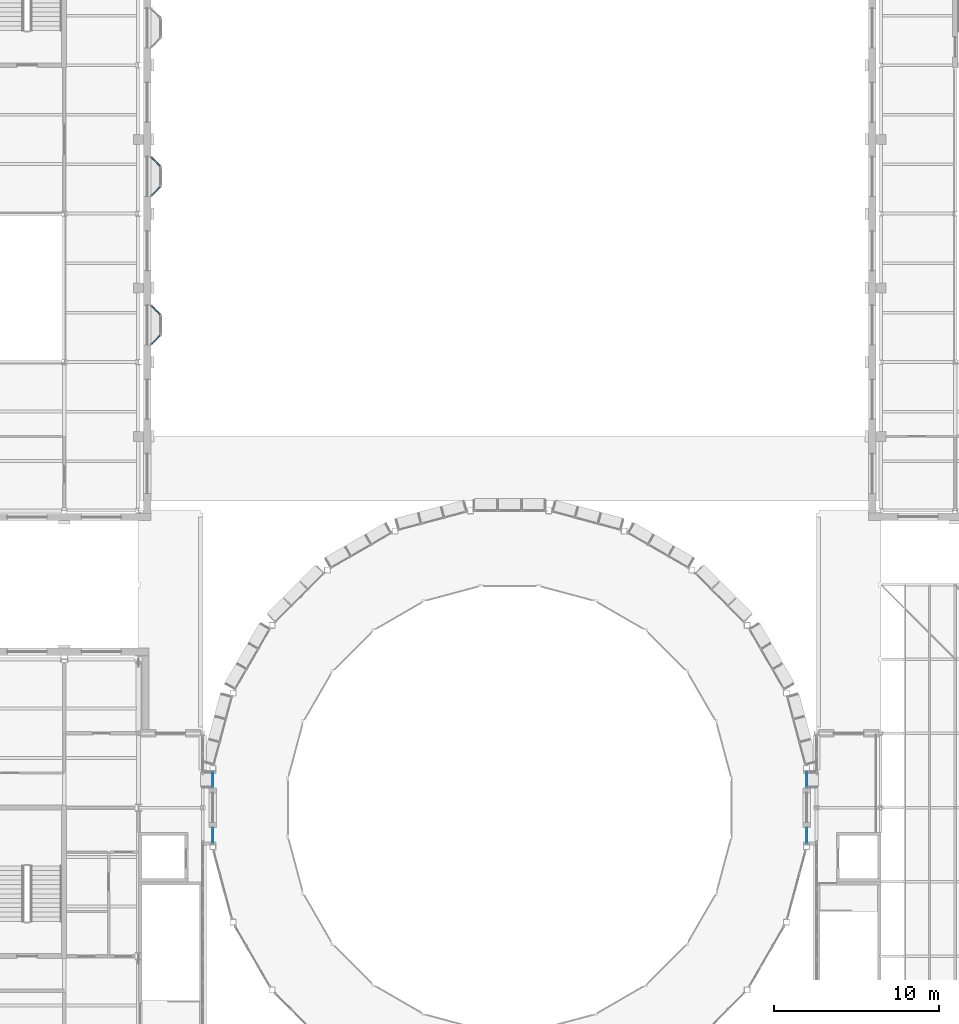
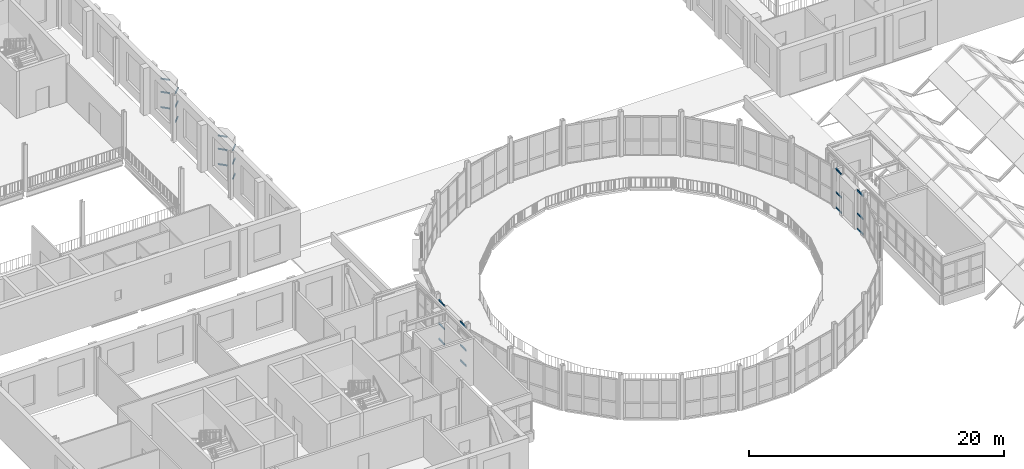
# One storey, part 28 of 74: 24 members, 8 elements without a shape of their own.
"""IFC4 building model written with IfcOpenShell, lengths in metres."""

from ifc_helpers import new_model, si_unit, direction, frame, origin, origin_2d, place, context, subcontext, project, spatial, rectangle, extrude, material, layer, layer_set, material_profile, profile_set, type_object, element, aggregate, save


model = new_model("IFC4")

# Units and contexts
model_context = context("Model", 3, precision=1e-05, world=origin(), true_north=direction((0.0, 1.0)))
body_context = subcontext(model_context, "Body", "Model", "MODEL_VIEW")
ifc_project = project(units=[si_unit("LENGTHUNIT", "METRE"), si_unit("AREAUNIT", "SQUARE_METRE"), si_unit("VOLUMEUNIT", "CUBIC_METRE"), si_unit("PLANEANGLEUNIT", "RADIAN"), si_unit("MASSUNIT", "GRAM", prefix="KILO")], contexts=[model_context])

# Site, building, storey
site_placement = place(None, origin())
site = spatial("IfcSite", under=ifc_project, at=site_placement, CompositionType="ELEMENT")
building_placement = place(site_placement, origin())
building = spatial("IfcBuilding", under=site, at=building_placement, Name="Hortulan Conservatory and Botanical Research Centre", CompositionType="ELEMENT")
storey_placement = place(building_placement, frame((0.0, 0.0, 6.0)))
storey = spatial("IfcBuildingStorey", under=building, at=storey_placement, Name="L01", CompositionType="ELEMENT", Elevation=6.0)

# Curtain wall, members
ifc_material = material(Name="Bronze-finished aluminium", Category="aluminium")
ifc_layer_1 = layer(ifc_material, 0.10009765625)
ifc_layer_set_1 = layer_set([ifc_layer_1], Name="Oriel Curtain Wall 1350 module")
curtain_wall_type_1 = type_object("IfcCurtainWallType", Name="Oriel Curtain Wall 1350 module", PredefinedType="NOTDEFINED", material=ifc_layer_set_1)
curtain_wall_1_placement = place(storey_placement, origin())
curtain_wall_1 = element("IfcCurtainWall", 1, at=curtain_wall_1_placement, inside=storey, type_object=curtain_wall_type_1, Name="Oriel glazing", PredefinedType="NOTDEFINED")
ifc_material_profile_1 = material_profile(ifc_material, rectangle(XDim=0.06005859375, YDim=0.1201171875, at=origin_2d()), Name="Bronze Transom 60x120")
ifc_profile_set_1 = profile_set([ifc_material_profile_1], Name="Bronze-finished aluminium")
member_type_1 = type_object("IfcMemberType", Name="Bronze Transom 60x120", PredefinedType="USERDEFINED", material=ifc_profile_set_1)
member_1_placement = place(storey_placement, frame((32.29248046875, 48.407470703125, 0.929931640625), z_axis=(0.707106781187, -0.707106781187, 0.0), x_axis=(0.707106781187, 0.707106781187, 0.0)))
member_1 = element("IfcMember", 2, at=member_1_placement, type_object=member_type_1, Name="CW2 transom 1.1", ObjectType="TRANSOM", PredefinedType="USERDEFINED", context=body_context, shape_type="SweptSolid", body=[
    extrude(rectangle(XDim=0.06005859375, YDim=0.1201171875, at=origin_2d()), origin(), (0.0, 0.0, 1.0), 0.728515625),
])
member_2_placement = place(storey_placement, frame((32.29248046875, 48.407470703125, 2.39990234375), z_axis=(0.707106781187, -0.707106781187, 0.0), x_axis=(0.707106781187, 0.707106781187, 0.0)))
member_2 = element("IfcMember", 3, at=member_2_placement, type_object=member_type_1, Name="CW2 transom 1.2", ObjectType="TRANSOM", PredefinedType="USERDEFINED", context=body_context, shape_type="SweptSolid", body=[
    extrude(rectangle(XDim=0.06005859375, YDim=0.1201171875, at=origin_2d()), origin(), (0.0, 0.0, 1.0), 0.728515625),
])
member_3_placement = place(storey_placement, frame((32.29248046875, 48.407470703125, 3.669921875), z_axis=(0.707106781187, -0.707106781187, 0.0), x_axis=(0.707106781187, 0.707106781187, 0.0)))
member_3 = element("IfcMember", 4, at=member_3_placement, type_object=member_type_1, Name="CW2 transom 1.3", ObjectType="TRANSOM", PredefinedType="USERDEFINED", context=body_context, shape_type="SweptSolid", body=[
    extrude(rectangle(XDim=0.06005859375, YDim=0.1201171875, at=origin_2d()), origin(), (0.0, 0.0, 1.0), 0.728515625),
])
aggregate(curtain_wall_1, [member_1, member_2, member_3])

curtain_wall_2_placement = place(storey_placement, origin())
curtain_wall_2 = element("IfcCurtainWall", 5, at=curtain_wall_2_placement, inside=storey, type_object=curtain_wall_type_1, Name="Oriel glazing", PredefinedType="NOTDEFINED")
member_4_placement = place(storey_placement, frame((32.8076171875, 46.607666015625, 0.929931640625), z_axis=(-0.707106781187, -0.707106781187, 0.0), x_axis=(0.707106781187, -0.707106781187, 0.0)))
member_4 = element("IfcMember", 6, at=member_4_placement, type_object=member_type_1, Name="CW2 transom 1.1", ObjectType="TRANSOM", PredefinedType="USERDEFINED", context=body_context, shape_type="SweptSolid", body=[
    extrude(rectangle(XDim=0.06005859375, YDim=0.1201171875, at=origin_2d()), origin(), (0.0, 0.0, 1.0), 0.728515625),
])
member_5_placement = place(storey_placement, frame((32.8076171875, 46.607666015625, 2.39990234375), z_axis=(-0.707106781187, -0.707106781187, 0.0), x_axis=(0.707106781187, -0.707106781187, 0.0)))
member_5 = element("IfcMember", 7, at=member_5_placement, type_object=member_type_1, Name="CW2 transom 1.2", ObjectType="TRANSOM", PredefinedType="USERDEFINED", context=body_context, shape_type="SweptSolid", body=[
    extrude(rectangle(XDim=0.06005859375, YDim=0.1201171875, at=origin_2d()), origin(), (0.0, 0.0, 1.0), 0.728515625),
])
member_6_placement = place(storey_placement, frame((32.8076171875, 46.607666015625, 3.669921875), z_axis=(-0.707106781187, -0.707106781187, 0.0), x_axis=(0.707106781187, -0.707106781187, 0.0)))
member_6 = element("IfcMember", 8, at=member_6_placement, type_object=member_type_1, Name="CW2 transom 1.3", ObjectType="TRANSOM", PredefinedType="USERDEFINED", context=body_context, shape_type="SweptSolid", body=[
    extrude(rectangle(XDim=0.06005859375, YDim=0.1201171875, at=origin_2d()), origin(), (0.0, 0.0, 1.0), 0.728515625),
])
aggregate(curtain_wall_2, [member_4, member_5, member_6])

curtain_wall_3_placement = place(storey_placement, origin())
curtain_wall_3 = element("IfcCurtainWall", 9, at=curtain_wall_3_placement, inside=storey, type_object=curtain_wall_type_1, Name="Oriel glazing", PredefinedType="NOTDEFINED")
member_7_placement = place(storey_placement, frame((32.29248046875, 57.407470703125, 0.929931640625), z_axis=(0.707106781187, -0.707106781187, 0.0), x_axis=(0.707106781187, 0.707106781187, 0.0)))
member_7 = element("IfcMember", 10, at=member_7_placement, type_object=member_type_1, Name="CW2 transom 1.1", ObjectType="TRANSOM", PredefinedType="USERDEFINED", context=body_context, shape_type="SweptSolid", body=[
    extrude(rectangle(XDim=0.06005859375, YDim=0.1201171875, at=origin_2d()), origin(), (0.0, 0.0, 1.0), 0.728515625),
])
member_8_placement = place(storey_placement, frame((32.29248046875, 57.407470703125, 2.39990234375), z_axis=(0.707106781187, -0.707106781187, 0.0), x_axis=(0.707106781187, 0.707106781187, 0.0)))
member_8 = element("IfcMember", 11, at=member_8_placement, type_object=member_type_1, Name="CW2 transom 1.2", ObjectType="TRANSOM", PredefinedType="USERDEFINED", context=body_context, shape_type="SweptSolid", body=[
    extrude(rectangle(XDim=0.06005859375, YDim=0.1201171875, at=origin_2d()), origin(), (0.0, 0.0, 1.0), 0.728515625),
])
member_9_placement = place(storey_placement, frame((32.29248046875, 57.407470703125, 3.669921875), z_axis=(0.707106781187, -0.707106781187, 0.0), x_axis=(0.707106781187, 0.707106781187, 0.0)))
member_9 = element("IfcMember", 12, at=member_9_placement, type_object=member_type_1, Name="CW2 transom 1.3", ObjectType="TRANSOM", PredefinedType="USERDEFINED", context=body_context, shape_type="SweptSolid", body=[
    extrude(rectangle(XDim=0.06005859375, YDim=0.1201171875, at=origin_2d()), origin(), (0.0, 0.0, 1.0), 0.728515625),
])
aggregate(curtain_wall_3, [member_7, member_8, member_9])

curtain_wall_4_placement = place(storey_placement, origin())
curtain_wall_4 = element("IfcCurtainWall", 13, at=curtain_wall_4_placement, inside=storey, type_object=curtain_wall_type_1, Name="Oriel glazing", PredefinedType="NOTDEFINED")
member_10_placement = place(storey_placement, frame((32.8076171875, 55.607666015625, 0.929931640625), z_axis=(-0.707106781187, -0.707106781187, 0.0), x_axis=(0.707106781187, -0.707106781187, 0.0)))
member_10 = element("IfcMember", 14, at=member_10_placement, type_object=member_type_1, Name="CW2 transom 1.1", ObjectType="TRANSOM", PredefinedType="USERDEFINED", context=body_context, shape_type="SweptSolid", body=[
    extrude(rectangle(XDim=0.06005859375, YDim=0.1201171875, at=origin_2d()), origin(), (0.0, 0.0, 1.0), 0.728515625),
])
member_11_placement = place(storey_placement, frame((32.8076171875, 55.607666015625, 2.39990234375), z_axis=(-0.707106781187, -0.707106781187, 0.0), x_axis=(0.707106781187, -0.707106781187, 0.0)))
member_11 = element("IfcMember", 15, at=member_11_placement, type_object=member_type_1, Name="CW2 transom 1.2", ObjectType="TRANSOM", PredefinedType="USERDEFINED", context=body_context, shape_type="SweptSolid", body=[
    extrude(rectangle(XDim=0.06005859375, YDim=0.1201171875, at=origin_2d()), origin(), (0.0, 0.0, 1.0), 0.728515625),
])
member_12_placement = place(storey_placement, frame((32.8076171875, 55.607666015625, 3.669921875), z_axis=(-0.707106781187, -0.707106781187, 0.0), x_axis=(0.707106781187, -0.707106781187, 0.0)))
member_12 = element("IfcMember", 16, at=member_12_placement, type_object=member_type_1, Name="CW2 transom 1.3", ObjectType="TRANSOM", PredefinedType="USERDEFINED", context=body_context, shape_type="SweptSolid", body=[
    extrude(rectangle(XDim=0.06005859375, YDim=0.1201171875, at=origin_2d()), origin(), (0.0, 0.0, 1.0), 0.728515625),
])
aggregate(curtain_wall_4, [member_10, member_11, member_12])

ifc_layer_2 = layer(ifc_material, 0.10009765625)
ifc_layer_set_2 = layer_set([ifc_layer_2], Name="Bronze-framed Curtain Wall 1500 module")
curtain_wall_type_2 = type_object("IfcCurtainWallType", Name="Bronze-framed Curtain Wall 1500 module", PredefinedType="NOTDEFINED", material=ifc_layer_set_2)
curtain_wall_5_placement = place(storey_placement, origin())
curtain_wall_5 = element("IfcCurtainWall", 17, at=curtain_wall_5_placement, inside=storey, type_object=curtain_wall_type_2, Name="Curtain wall", PredefinedType="NOTDEFINED")
ifc_material_profile_2 = material_profile(ifc_material, rectangle(XDim=0.06005859375, YDim=0.14990234375, at=origin_2d()), Name="Bronze Transom 60x150")
ifc_profile_set_2 = profile_set([ifc_material_profile_2], Name="Bronze-finished aluminium")
member_type_2 = type_object("IfcMemberType", Name="Bronze Transom 60x150", PredefinedType="USERDEFINED", material=ifc_profile_set_2)
member_13_placement = place(storey_placement, frame((36.0, 15.864990234375, 0.030029296875), z_axis=(0.0, 1.0, 0.0), x_axis=(-1.0, 0.0, 0.0)))
member_13 = element("IfcMember", 18, at=member_13_placement, type_object=member_type_2, Name="CW1 transom 1.1", ObjectType="TRANSOM", PredefinedType="USERDEFINED", context=body_context, shape_type="SweptSolid", body=[
    extrude(rectangle(XDim=0.06005859375, YDim=0.14990234375, at=origin_2d()), origin(), (0.0, 0.0, 1.0), 0.875),
])
member_14_placement = place(storey_placement, frame((36.0, 15.864990234375, 1.5), z_axis=(0.0, 1.0, 0.0), x_axis=(-1.0, 0.0, 0.0)))
member_14 = element("IfcMember", 19, at=member_14_placement, type_object=member_type_2, Name="CW1 transom 1.2", ObjectType="TRANSOM", PredefinedType="USERDEFINED", context=body_context, shape_type="SweptSolid", body=[
    extrude(rectangle(XDim=0.06005859375, YDim=0.14990234375, at=origin_2d()), origin(), (0.0, 0.0, 1.0), 0.875),
])
member_15_placement = place(storey_placement, frame((36.0, 15.864990234375, 3.719970703125), z_axis=(0.0, 1.0, 0.0), x_axis=(-1.0, 0.0, 0.0)))
member_15 = element("IfcMember", 20, at=member_15_placement, type_object=member_type_2, Name="CW1 transom 1.3", ObjectType="TRANSOM", PredefinedType="USERDEFINED", context=body_context, shape_type="SweptSolid", body=[
    extrude(rectangle(XDim=0.06005859375, YDim=0.14990234375, at=origin_2d()), origin(), (0.0, 0.0, 1.0), 0.875),
])
aggregate(curtain_wall_5, [member_13, member_14, member_15])

curtain_wall_6_placement = place(storey_placement, origin())
curtain_wall_6 = element("IfcCurtainWall", 21, at=curtain_wall_6_placement, inside=storey, type_object=curtain_wall_type_2, Name="Curtain wall", PredefinedType="NOTDEFINED")
member_16_placement = place(storey_placement, frame((36.0, 19.260009765625, 0.030029296875), z_axis=(0.0, 1.0, 0.0), x_axis=(-1.0, 0.0, 0.0)))
member_16 = element("IfcMember", 22, at=member_16_placement, type_object=member_type_2, Name="CW1 transom 1.1", ObjectType="TRANSOM", PredefinedType="USERDEFINED", context=body_context, shape_type="SweptSolid", body=[
    extrude(rectangle(XDim=0.06005859375, YDim=0.14990234375, at=origin_2d()), origin(), (0.0, 0.0, 1.0), 0.875),
])
member_17_placement = place(storey_placement, frame((36.0, 19.260009765625, 1.5), z_axis=(0.0, 1.0, 0.0), x_axis=(-1.0, 0.0, 0.0)))
member_17 = element("IfcMember", 23, at=member_17_placement, type_object=member_type_2, Name="CW1 transom 1.2", ObjectType="TRANSOM", PredefinedType="USERDEFINED", context=body_context, shape_type="SweptSolid", body=[
    extrude(rectangle(XDim=0.06005859375, YDim=0.14990234375, at=origin_2d()), origin(), (0.0, 0.0, 1.0), 0.875),
])
member_18_placement = place(storey_placement, frame((36.0, 19.260009765625, 3.719970703125), z_axis=(0.0, 1.0, 0.0), x_axis=(-1.0, 0.0, 0.0)))
member_18 = element("IfcMember", 24, at=member_18_placement, type_object=member_type_2, Name="CW1 transom 1.3", ObjectType="TRANSOM", PredefinedType="USERDEFINED", context=body_context, shape_type="SweptSolid", body=[
    extrude(rectangle(XDim=0.06005859375, YDim=0.14990234375, at=origin_2d()), origin(), (0.0, 0.0, 1.0), 0.875),
])
aggregate(curtain_wall_6, [member_16, member_17, member_18])

curtain_wall_7_placement = place(storey_placement, origin())
curtain_wall_7 = element("IfcCurtainWall", 25, at=curtain_wall_7_placement, inside=storey, type_object=curtain_wall_type_2, Name="Curtain wall", PredefinedType="NOTDEFINED")
member_19_placement = place(storey_placement, frame((72.0, 20.135009765625, 0.030029296875), z_axis=(0.0, -1.0, 0.0), x_axis=(1.0, 0.0, 0.0)))
member_19 = element("IfcMember", 26, at=member_19_placement, type_object=member_type_2, Name="CW1 transom 1.1", ObjectType="TRANSOM", PredefinedType="USERDEFINED", context=body_context, shape_type="SweptSolid", body=[
    extrude(rectangle(XDim=0.06005859375, YDim=0.14990234375, at=origin_2d()), origin(), (0.0, 0.0, 1.0), 0.875),
])
member_20_placement = place(storey_placement, frame((72.0, 20.135009765625, 1.5), z_axis=(0.0, -1.0, 0.0), x_axis=(1.0, 0.0, 0.0)))
member_20 = element("IfcMember", 27, at=member_20_placement, type_object=member_type_2, Name="CW1 transom 1.2", ObjectType="TRANSOM", PredefinedType="USERDEFINED", context=body_context, shape_type="SweptSolid", body=[
    extrude(rectangle(XDim=0.06005859375, YDim=0.14990234375, at=origin_2d()), origin(), (0.0, 0.0, 1.0), 0.875),
])
member_21_placement = place(storey_placement, frame((72.0, 20.135009765625, 3.719970703125), z_axis=(0.0, -1.0, 0.0), x_axis=(1.0, 0.0, 0.0)))
member_21 = element("IfcMember", 28, at=member_21_placement, type_object=member_type_2, Name="CW1 transom 1.3", ObjectType="TRANSOM", PredefinedType="USERDEFINED", context=body_context, shape_type="SweptSolid", body=[
    extrude(rectangle(XDim=0.06005859375, YDim=0.14990234375, at=origin_2d()), origin(), (0.0, 0.0, 1.0), 0.875),
])
aggregate(curtain_wall_7, [member_19, member_20, member_21])

curtain_wall_8_placement = place(storey_placement, origin())
curtain_wall_8 = element("IfcCurtainWall", 29, at=curtain_wall_8_placement, inside=storey, type_object=curtain_wall_type_2, Name="Curtain wall", PredefinedType="NOTDEFINED")
member_22_placement = place(storey_placement, frame((72.0, 16.739990234375, 0.030029296875), z_axis=(0.0, -1.0, 0.0), x_axis=(1.0, 0.0, 0.0)))
member_22 = element("IfcMember", 30, at=member_22_placement, type_object=member_type_2, Name="CW1 transom 1.1", ObjectType="TRANSOM", PredefinedType="USERDEFINED", context=body_context, shape_type="SweptSolid", body=[
    extrude(rectangle(XDim=0.06005859375, YDim=0.14990234375, at=origin_2d()), origin(), (0.0, 0.0, 1.0), 0.875),
])
member_23_placement = place(storey_placement, frame((72.0, 16.739990234375, 1.5), z_axis=(0.0, -1.0, 0.0), x_axis=(1.0, 0.0, 0.0)))
member_23 = element("IfcMember", 31, at=member_23_placement, type_object=member_type_2, Name="CW1 transom 1.2", ObjectType="TRANSOM", PredefinedType="USERDEFINED", context=body_context, shape_type="SweptSolid", body=[
    extrude(rectangle(XDim=0.06005859375, YDim=0.14990234375, at=origin_2d()), origin(), (0.0, 0.0, 1.0), 0.875),
])
member_24_placement = place(storey_placement, frame((72.0, 16.739990234375, 3.719970703125), z_axis=(0.0, -1.0, 0.0), x_axis=(1.0, 0.0, 0.0)))
member_24 = element("IfcMember", 32, at=member_24_placement, type_object=member_type_2, Name="CW1 transom 1.3", ObjectType="TRANSOM", PredefinedType="USERDEFINED", context=body_context, shape_type="SweptSolid", body=[
    extrude(rectangle(XDim=0.06005859375, YDim=0.14990234375, at=origin_2d()), origin(), (0.0, 0.0, 1.0), 0.875),
])
aggregate(curtain_wall_8, [member_22, member_23, member_24])

save(model, "model.ifc")
